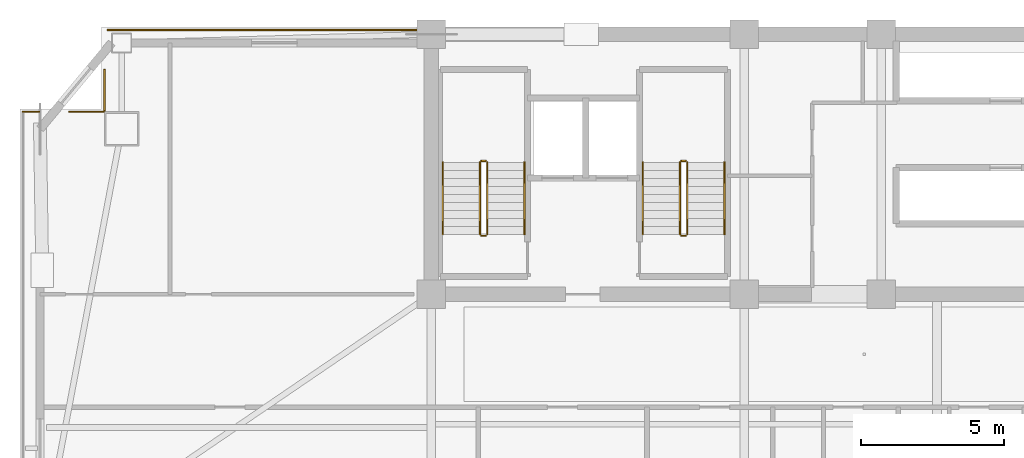
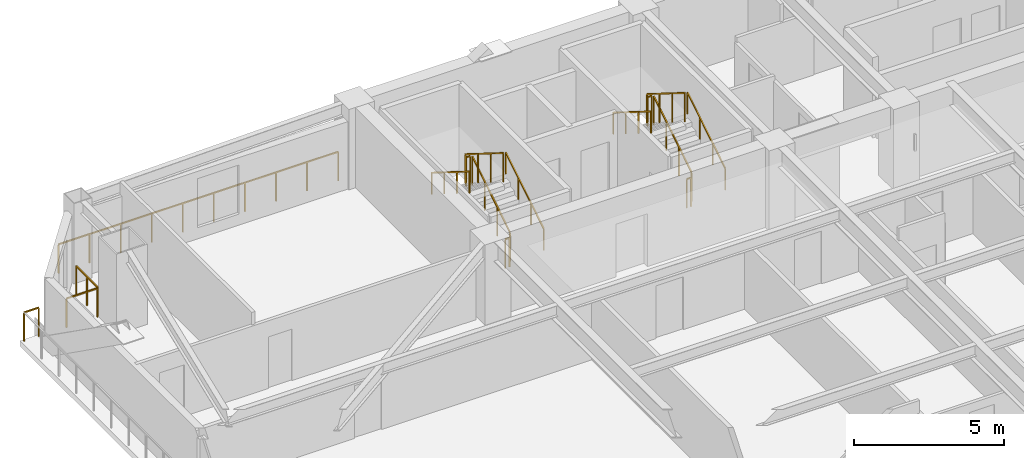
# One storey, part 14 of 15: 16 railings.
"""IFC4 building model written with IfcOpenShell, lengths in metres."""

from ifc_helpers import new_model, si_unit, direction, frame, origin, origin_2d, place, context, subcontext, project, spatial, rectangle, extrude, material, type_object, element, save


model = new_model("IFC4")

# Units and contexts
model_context = context("Model", 3, precision=1e-05, world=origin(), true_north=direction((0.0, 1.0)))
body_context = subcontext(model_context, "Body", "Model", "MODEL_VIEW")
ifc_project = project(units=[si_unit("LENGTHUNIT", "METRE"), si_unit("AREAUNIT", "SQUARE_METRE"), si_unit("VOLUMEUNIT", "CUBIC_METRE"), si_unit("PLANEANGLEUNIT", "RADIAN"), si_unit("MASSUNIT", "GRAM", prefix="KILO")], contexts=[model_context])

# Site, building, storey
site_placement = place(None, origin())
site = spatial("IfcSite", under=ifc_project, at=site_placement, CompositionType="ELEMENT")
building_placement = place(site_placement, origin())
building = spatial("IfcBuilding", under=site, at=building_placement, Name="Giltprow Tower", CompositionType="ELEMENT")
storey_placement = place(building_placement, frame((0.0, 0.0, 180.699951171875)))
storey = spatial("IfcBuildingStorey", under=building, at=storey_placement, Name="L45", CompositionType="ELEMENT", Elevation=180.699951171875)

# Railings
ifc_material = material(Name="Anodized bronze", Category="metal")
railing_type_1 = type_object("IfcRailingType", Name="RAIL-BALC-GUARD-1200", PredefinedType="BALUSTRADE", material=ifc_material)
railing_1_placement = place(storey_placement, frame((5.553955078125, 43.839111328125, 0.0)))
element("IfcRailing", 1, at=railing_1_placement, inside=storey, type_object=railing_type_1, Name="L45 Corner Apron Edge Balustrade 6", PredefinedType="BALUSTRADE", context=body_context, shape_type="SweptSolid", body=[
    extrude(rectangle(XDim=0.048095703125, YDim=0.048095703125, at=origin_2d()), frame((0.0, 0.0, 1.17578125), z_axis=(1.0, 0.0, 0.0), x_axis=(0.0, 1.0, 0.0)), (0.0, 0.0, 1.0), 0.567138671875),
    extrude(rectangle(XDim=0.0419921875, YDim=0.0419921875, at=origin_2d()), origin(), (0.0, 0.0, 1.0), 1.15185546875),
    extrude(rectangle(XDim=0.0419921875, YDim=0.0419921875, at=origin_2d()), frame((0.567138671875, 0.0, 0.0)), (0.0, 0.0, 1.0), 1.15185546875),
])
railing_2_placement = place(storey_placement, frame((7.18798828125, 43.839111328125, 0.0)))
element("IfcRailing", 2, at=railing_2_placement, inside=storey, type_object=railing_type_1, Name="L45 Corner Apron Edge Balustrade 7", PredefinedType="BALUSTRADE", context=body_context, shape_type="SweptSolid", body=[
    extrude(rectangle(XDim=0.048095703125, YDim=0.048095703125, at=origin_2d()), frame((0.0, 0.0, 1.17578125), z_axis=(1.0, 0.0, 0.0), x_axis=(0.0, 1.0, 0.0)), (0.0, 0.0, 1.0), 1.19189453125),
    extrude(rectangle(XDim=0.0419921875, YDim=0.0419921875, at=origin_2d()), origin(), (0.0, 0.0, 1.0), 1.15185546875),
    extrude(rectangle(XDim=0.0419921875, YDim=0.0419921875, at=origin_2d()), frame((1.19189453125, 0.0, 0.0)), (0.0, 0.0, 1.0), 1.15185546875),
])
railing_3_placement = place(storey_placement, frame((8.4150390625, 43.8740234375, 0.0)))
element("IfcRailing", 3, at=railing_3_placement, inside=storey, type_object=railing_type_1, Name="L45 Corner Apron Edge Balustrade 8", PredefinedType="BALUSTRADE", context=body_context, shape_type="SweptSolid", body=[
    extrude(rectangle(XDim=0.048095703125, YDim=0.048095703125, at=origin_2d()), frame((0.0, 0.0, 1.17578125), z_axis=(0.0, 1.0, 0.0), x_axis=(-1.0, 0.0, 0.0)), (0.0, 0.0, 1.0), 1.43603515625),
    extrude(rectangle(XDim=0.0419921875, YDim=0.0419921875, at=origin_2d()), origin(), (0.0, 0.0, 1.0), 1.15185546875),
    extrude(rectangle(XDim=0.0419921875, YDim=0.0419921875, at=origin_2d()), frame((0.0, 0.718017578125, 0.0)), (0.0, 0.0, 1.0), 1.15185546875),
    extrude(rectangle(XDim=0.0419921875, YDim=0.0419921875, at=origin_2d()), frame((0.0, 1.43603515625, 0.0)), (0.0, 0.0, 1.0), 1.15185546875),
])
railing_4_placement = place(storey_placement, frame((8.531005859375, 46.699951171875, 0.0)))
element("IfcRailing", 4, at=railing_4_placement, inside=storey, type_object=railing_type_1, Name="L45 Corner Apron Edge Balustrade 9", PredefinedType="BALUSTRADE", context=body_context, shape_type="SweptSolid", body=[
    extrude(rectangle(XDim=0.048095703125, YDim=0.048095703125, at=origin_2d()), frame((0.0, 0.0, 1.17578125), z_axis=(1.0, 0.0, 0.0), x_axis=(0.0, 1.0, 0.0)), (0.0, 0.0, 1.0), 10.783935546875),
    extrude(rectangle(XDim=0.0419921875, YDim=0.0419921875, at=origin_2d()), origin(), (0.0, 0.0, 1.0), 1.15185546875),
    extrude(rectangle(XDim=0.0419921875, YDim=0.0419921875, at=origin_2d()), frame((1.1982421875, 0.0, 0.0)), (0.0, 0.0, 1.0), 1.15185546875),
    extrude(rectangle(XDim=0.0419921875, YDim=0.0419921875, at=origin_2d()), frame((2.396484375, 0.0, 0.0)), (0.0, 0.0, 1.0), 1.15185546875),
    extrude(rectangle(XDim=0.0419921875, YDim=0.0419921875, at=origin_2d()), frame((3.5947265625, 0.0, 0.0)), (0.0, 0.0, 1.0), 1.15185546875),
    extrude(rectangle(XDim=0.0419921875, YDim=0.0419921875, at=origin_2d()), frame((4.79296875, 0.0, 0.0)), (0.0, 0.0, 1.0), 1.15185546875),
    extrude(rectangle(XDim=0.0419921875, YDim=0.0419921875, at=origin_2d()), frame((5.990966796875, 0.0, 0.0)), (0.0, 0.0, 1.0), 1.15185546875),
    extrude(rectangle(XDim=0.0419921875, YDim=0.0419921875, at=origin_2d()), frame((7.189208984375, 0.0, 0.0)), (0.0, 0.0, 1.0), 1.15185546875),
    extrude(rectangle(XDim=0.0419921875, YDim=0.0419921875, at=origin_2d()), frame((8.387451171875, 0.0, 0.0)), (0.0, 0.0, 1.0), 1.15185546875),
    extrude(rectangle(XDim=0.0419921875, YDim=0.0419921875, at=origin_2d()), frame((9.585693359375, 0.0, 0.0)), (0.0, 0.0, 1.0), 1.15185546875),
    extrude(rectangle(XDim=0.0419921875, YDim=0.0419921875, at=origin_2d()), frame((10.783935546875, 0.0, 0.0)), (0.0, 0.0, 1.0), 1.15185546875),
])
railing_type_2 = type_object("IfcRailingType", Name="RAIL-STAIR-GUARD-1200", PredefinedType="GUARDRAIL", material=ifc_material)
railing_5_placement = place(storey_placement, frame((21.81005859375, 39.550048828125, 0.175048828125)))
element("IfcRailing", 5, at=railing_5_placement, inside=storey, type_object=railing_type_2, Name="L45 ST-1 stair guard 1", PredefinedType="GUARDRAIL", context=body_context, shape_type="SweptSolid", body=[
    extrude(rectangle(XDim=0.048095703125, YDim=0.048095703125, at=origin_2d()), frame((0.0, 0.0, 1.17578125), z_axis=(0.0, 0.848007534815, 0.529984170421), x_axis=(-1.0, 0.0, 0.0)), (0.0, 0.0, 1.0), 2.9716796875),
    extrude(rectangle(XDim=0.0419921875, YDim=0.0419921875, at=origin_2d()), origin(), (0.0, 0.0, 1.0), 1.15185546875),
    extrude(rectangle(XDim=0.0419921875, YDim=0.0419921875, at=origin_2d()), frame((0.0, 0.840087890625, 0.52490234375)), (0.0, 0.0, 1.0), 1.15185546875),
    extrude(rectangle(XDim=0.0419921875, YDim=0.0419921875, at=origin_2d()), frame((0.0, 1.679931640625, 1.050048828125)), (0.0, 0.0, 1.0), 1.15185546875),
    extrude(rectangle(XDim=0.0419921875, YDim=0.0419921875, at=origin_2d()), frame((0.0, 2.52001953125, 1.574951171875)), (0.0, 0.0, 1.0), 1.15185546875),
])
railing_6_placement = place(storey_placement, frame((21.760009765625, 42.1201171875, 1.75)))
element("IfcRailing", 6, at=railing_6_placement, inside=storey, type_object=railing_type_2, Name="L45 ST-1 stair guard 2", PredefinedType="GUARDRAIL", context=body_context, shape_type="SweptSolid", body=[
    extrude(rectangle(XDim=0.048095703125, YDim=0.048095703125, at=origin_2d()), frame((0.0, 0.0, 1.17578125), z_axis=(-1.0, 0.0, 0.0), x_axis=(0.0, -1.0, 0.0)), (0.0, 0.0, 1.0), 0.159912109375),
    extrude(rectangle(XDim=0.0419921875, YDim=0.0419921875, at=origin_2d()), origin(), (0.0, 0.0, 1.0), 1.15185546875),
    extrude(rectangle(XDim=0.0419921875, YDim=0.0419921875, at=origin_2d()), frame((-0.159912109375, 0.0, 0.0)), (0.0, 0.0, 1.0), 1.15185546875),
])
railing_7_placement = place(storey_placement, frame((21.550048828125, 42.070068359375, 1.925048828125)))
element("IfcRailing", 7, at=railing_7_placement, inside=storey, type_object=railing_type_2, Name="L45 ST-1 stair guard 3", PredefinedType="GUARDRAIL", context=body_context, shape_type="SweptSolid", body=[
    extrude(rectangle(XDim=0.048095703125, YDim=0.048095703125, at=origin_2d()), frame((0.0, 0.0, 1.17578125), z_axis=(0.0, -0.848007534815, 0.529984170421), x_axis=(1.0, 0.0, 0.0)), (0.0, 0.0, 1.0), 2.9716796875),
    extrude(rectangle(XDim=0.0419921875, YDim=0.0419921875, at=origin_2d()), origin(), (0.0, 0.0, 1.0), 1.15185546875),
    extrude(rectangle(XDim=0.0419921875, YDim=0.0419921875, at=origin_2d()), frame((0.0, -0.840087890625, 0.52490234375)), (0.0, 0.0, 1.0), 1.15185546875),
    extrude(rectangle(XDim=0.0419921875, YDim=0.0419921875, at=origin_2d()), frame((0.0, -1.679931640625, 1.050048828125)), (0.0, 0.0, 1.0), 1.15185546875),
    extrude(rectangle(XDim=0.0419921875, YDim=0.0419921875, at=origin_2d()), frame((0.0, -2.52001953125, 1.574951171875)), (0.0, 0.0, 1.0), 1.15185546875),
])
railing_8_placement = place(storey_placement, frame((21.760009765625, 39.5, 0.0)))
element("IfcRailing", 8, at=railing_8_placement, inside=storey, type_object=railing_type_2, Name="L45 ST-1 stair guard 4", PredefinedType="GUARDRAIL", context=body_context, shape_type="SweptSolid", body=[
    extrude(rectangle(XDim=0.048095703125, YDim=0.048095703125, at=origin_2d()), frame((0.0, 0.0, 1.17578125), z_axis=(-1.0, 0.0, 0.0), x_axis=(0.0, -1.0, 0.0)), (0.0, 0.0, 1.0), 0.159912109375),
    extrude(rectangle(XDim=0.0419921875, YDim=0.0419921875, at=origin_2d()), origin(), (0.0, 0.0, 1.0), 1.15185546875),
    extrude(rectangle(XDim=0.0419921875, YDim=0.0419921875, at=origin_2d()), frame((-0.159912109375, 0.0, 0.0)), (0.0, 0.0, 1.0), 1.15185546875),
])
railing_9_placement = place(storey_placement, frame((28.81005859375, 39.550048828125, 0.175048828125)))
element("IfcRailing", 9, at=railing_9_placement, inside=storey, type_object=railing_type_2, Name="L45 ST-2 stair guard 1", PredefinedType="GUARDRAIL", context=body_context, shape_type="SweptSolid", body=[
    extrude(rectangle(XDim=0.048095703125, YDim=0.048095703125, at=origin_2d()), frame((0.0, 0.0, 1.17578125), z_axis=(0.0, 0.848007534815, 0.529984170421), x_axis=(-1.0, 0.0, 0.0)), (0.0, 0.0, 1.0), 2.9716796875),
    extrude(rectangle(XDim=0.0419921875, YDim=0.0419921875, at=origin_2d()), origin(), (0.0, 0.0, 1.0), 1.15185546875),
    extrude(rectangle(XDim=0.0419921875, YDim=0.0419921875, at=origin_2d()), frame((0.0, 0.840087890625, 0.52490234375)), (0.0, 0.0, 1.0), 1.15185546875),
    extrude(rectangle(XDim=0.0419921875, YDim=0.0419921875, at=origin_2d()), frame((0.0, 1.679931640625, 1.050048828125)), (0.0, 0.0, 1.0), 1.15185546875),
    extrude(rectangle(XDim=0.0419921875, YDim=0.0419921875, at=origin_2d()), frame((0.0, 2.52001953125, 1.574951171875)), (0.0, 0.0, 1.0), 1.15185546875),
])
railing_10_placement = place(storey_placement, frame((28.760009765625, 42.1201171875, 1.75)))
element("IfcRailing", 10, at=railing_10_placement, inside=storey, type_object=railing_type_2, Name="L45 ST-2 stair guard 2", PredefinedType="GUARDRAIL", context=body_context, shape_type="SweptSolid", body=[
    extrude(rectangle(XDim=0.048095703125, YDim=0.048095703125, at=origin_2d()), frame((0.0, 0.0, 1.17578125), z_axis=(-1.0, 0.0, 0.0), x_axis=(0.0, -1.0, 0.0)), (0.0, 0.0, 1.0), 0.159912109375),
    extrude(rectangle(XDim=0.0419921875, YDim=0.0419921875, at=origin_2d()), origin(), (0.0, 0.0, 1.0), 1.15185546875),
    extrude(rectangle(XDim=0.0419921875, YDim=0.0419921875, at=origin_2d()), frame((-0.159912109375, 0.0, 0.0)), (0.0, 0.0, 1.0), 1.15185546875),
])
railing_11_placement = place(storey_placement, frame((28.550048828125, 42.070068359375, 1.925048828125)))
element("IfcRailing", 11, at=railing_11_placement, inside=storey, type_object=railing_type_2, Name="L45 ST-2 stair guard 3", PredefinedType="GUARDRAIL", context=body_context, shape_type="SweptSolid", body=[
    extrude(rectangle(XDim=0.048095703125, YDim=0.048095703125, at=origin_2d()), frame((0.0, 0.0, 1.17578125), z_axis=(0.0, -0.848007534815, 0.529984170421), x_axis=(1.0, 0.0, 0.0)), (0.0, 0.0, 1.0), 2.9716796875),
    extrude(rectangle(XDim=0.0419921875, YDim=0.0419921875, at=origin_2d()), origin(), (0.0, 0.0, 1.0), 1.15185546875),
    extrude(rectangle(XDim=0.0419921875, YDim=0.0419921875, at=origin_2d()), frame((0.0, -0.840087890625, 0.52490234375)), (0.0, 0.0, 1.0), 1.15185546875),
    extrude(rectangle(XDim=0.0419921875, YDim=0.0419921875, at=origin_2d()), frame((0.0, -1.679931640625, 1.050048828125)), (0.0, 0.0, 1.0), 1.15185546875),
    extrude(rectangle(XDim=0.0419921875, YDim=0.0419921875, at=origin_2d()), frame((0.0, -2.52001953125, 1.574951171875)), (0.0, 0.0, 1.0), 1.15185546875),
])
railing_12_placement = place(storey_placement, frame((28.760009765625, 39.5, 0.0)))
element("IfcRailing", 12, at=railing_12_placement, inside=storey, type_object=railing_type_2, Name="L45 ST-2 stair guard 4", PredefinedType="GUARDRAIL", context=body_context, shape_type="SweptSolid", body=[
    extrude(rectangle(XDim=0.048095703125, YDim=0.048095703125, at=origin_2d()), frame((0.0, 0.0, 1.17578125), z_axis=(-1.0, 0.0, 0.0), x_axis=(0.0, -1.0, 0.0)), (0.0, 0.0, 1.0), 0.159912109375),
    extrude(rectangle(XDim=0.0419921875, YDim=0.0419921875, at=origin_2d()), origin(), (0.0, 0.0, 1.0), 1.15185546875),
    extrude(rectangle(XDim=0.0419921875, YDim=0.0419921875, at=origin_2d()), frame((-0.159912109375, 0.0, 0.0)), (0.0, 0.0, 1.0), 1.15185546875),
])
railing_type_3 = type_object("IfcRailingType", Name="RAIL-STAIR-HAND-900", PredefinedType="HANDRAIL", material=ifc_material)
railing_13_placement = place(storey_placement, frame((23.110107421875, 39.550048828125, 0.175048828125)))
element("IfcRailing", 13, at=railing_13_placement, inside=storey, type_object=railing_type_3, Name="L45 ST-1 stair handrail 1", PredefinedType="HANDRAIL", context=body_context, shape_type="SweptSolid", body=[
    extrude(rectangle(XDim=0.048095703125, YDim=0.048095703125, at=origin_2d()), frame((0.0, 0.0, 0.8759765625), z_axis=(0.0, 0.848007534815, 0.529984170421), x_axis=(-1.0, 0.0, 0.0)), (0.0, 0.0, 1.0), 2.9716796875),
    extrude(rectangle(XDim=0.0419921875, YDim=0.0419921875, at=origin_2d()), origin(), (0.0, 0.0, 1.0), 0.851806640625),
    extrude(rectangle(XDim=0.0419921875, YDim=0.0419921875, at=origin_2d()), frame((0.0, 0.840087890625, 0.52490234375)), (0.0, 0.0, 1.0), 0.851806640625),
    extrude(rectangle(XDim=0.0419921875, YDim=0.0419921875, at=origin_2d()), frame((0.0, 1.679931640625, 1.050048828125)), (0.0, 0.0, 1.0), 0.851806640625),
    extrude(rectangle(XDim=0.0419921875, YDim=0.0419921875, at=origin_2d()), frame((0.0, 2.52001953125, 1.574951171875)), (0.0, 0.0, 1.0), 0.851806640625),
])
railing_14_placement = place(storey_placement, frame((20.25, 42.070068359375, 1.925048828125)))
element("IfcRailing", 14, at=railing_14_placement, inside=storey, type_object=railing_type_3, Name="L45 ST-1 stair handrail 2", PredefinedType="HANDRAIL", context=body_context, shape_type="SweptSolid", body=[
    extrude(rectangle(XDim=0.048095703125, YDim=0.048095703125, at=origin_2d()), frame((0.0, 0.0, 0.8759765625), z_axis=(0.0, -0.848007534815, 0.529984170421), x_axis=(1.0, 0.0, 0.0)), (0.0, 0.0, 1.0), 2.9716796875),
    extrude(rectangle(XDim=0.0419921875, YDim=0.0419921875, at=origin_2d()), origin(), (0.0, 0.0, 1.0), 0.851806640625),
    extrude(rectangle(XDim=0.0419921875, YDim=0.0419921875, at=origin_2d()), frame((0.0, -0.840087890625, 0.52490234375)), (0.0, 0.0, 1.0), 0.851806640625),
    extrude(rectangle(XDim=0.0419921875, YDim=0.0419921875, at=origin_2d()), frame((0.0, -1.679931640625, 1.050048828125)), (0.0, 0.0, 1.0), 0.851806640625),
    extrude(rectangle(XDim=0.0419921875, YDim=0.0419921875, at=origin_2d()), frame((0.0, -2.52001953125, 1.574951171875)), (0.0, 0.0, 1.0), 0.851806640625),
])
railing_15_placement = place(storey_placement, frame((30.110107421875, 39.550048828125, 0.175048828125)))
element("IfcRailing", 15, at=railing_15_placement, inside=storey, type_object=railing_type_3, Name="L45 ST-2 stair handrail 1", PredefinedType="HANDRAIL", context=body_context, shape_type="SweptSolid", body=[
    extrude(rectangle(XDim=0.048095703125, YDim=0.048095703125, at=origin_2d()), frame((0.0, 0.0, 0.8759765625), z_axis=(0.0, 0.848007534815, 0.529984170421), x_axis=(-1.0, 0.0, 0.0)), (0.0, 0.0, 1.0), 2.9716796875),
    extrude(rectangle(XDim=0.0419921875, YDim=0.0419921875, at=origin_2d()), origin(), (0.0, 0.0, 1.0), 0.851806640625),
    extrude(rectangle(XDim=0.0419921875, YDim=0.0419921875, at=origin_2d()), frame((0.0, 0.840087890625, 0.52490234375)), (0.0, 0.0, 1.0), 0.851806640625),
    extrude(rectangle(XDim=0.0419921875, YDim=0.0419921875, at=origin_2d()), frame((0.0, 1.679931640625, 1.050048828125)), (0.0, 0.0, 1.0), 0.851806640625),
    extrude(rectangle(XDim=0.0419921875, YDim=0.0419921875, at=origin_2d()), frame((0.0, 2.52001953125, 1.574951171875)), (0.0, 0.0, 1.0), 0.851806640625),
])
railing_16_placement = place(storey_placement, frame((27.25, 42.070068359375, 1.925048828125)))
element("IfcRailing", 16, at=railing_16_placement, inside=storey, type_object=railing_type_3, Name="L45 ST-2 stair handrail 2", PredefinedType="HANDRAIL", context=body_context, shape_type="SweptSolid", body=[
    extrude(rectangle(XDim=0.048095703125, YDim=0.048095703125, at=origin_2d()), frame((0.0, 0.0, 0.8759765625), z_axis=(0.0, -0.848007534815, 0.529984170421), x_axis=(1.0, 0.0, 0.0)), (0.0, 0.0, 1.0), 2.9716796875),
    extrude(rectangle(XDim=0.0419921875, YDim=0.0419921875, at=origin_2d()), origin(), (0.0, 0.0, 1.0), 0.851806640625),
    extrude(rectangle(XDim=0.0419921875, YDim=0.0419921875, at=origin_2d()), frame((0.0, -0.840087890625, 0.52490234375)), (0.0, 0.0, 1.0), 0.851806640625),
    extrude(rectangle(XDim=0.0419921875, YDim=0.0419921875, at=origin_2d()), frame((0.0, -1.679931640625, 1.050048828125)), (0.0, 0.0, 1.0), 0.851806640625),
    extrude(rectangle(XDim=0.0419921875, YDim=0.0419921875, at=origin_2d()), frame((0.0, -2.52001953125, 1.574951171875)), (0.0, 0.0, 1.0), 0.851806640625),
])

save(model, "model.ifc")
